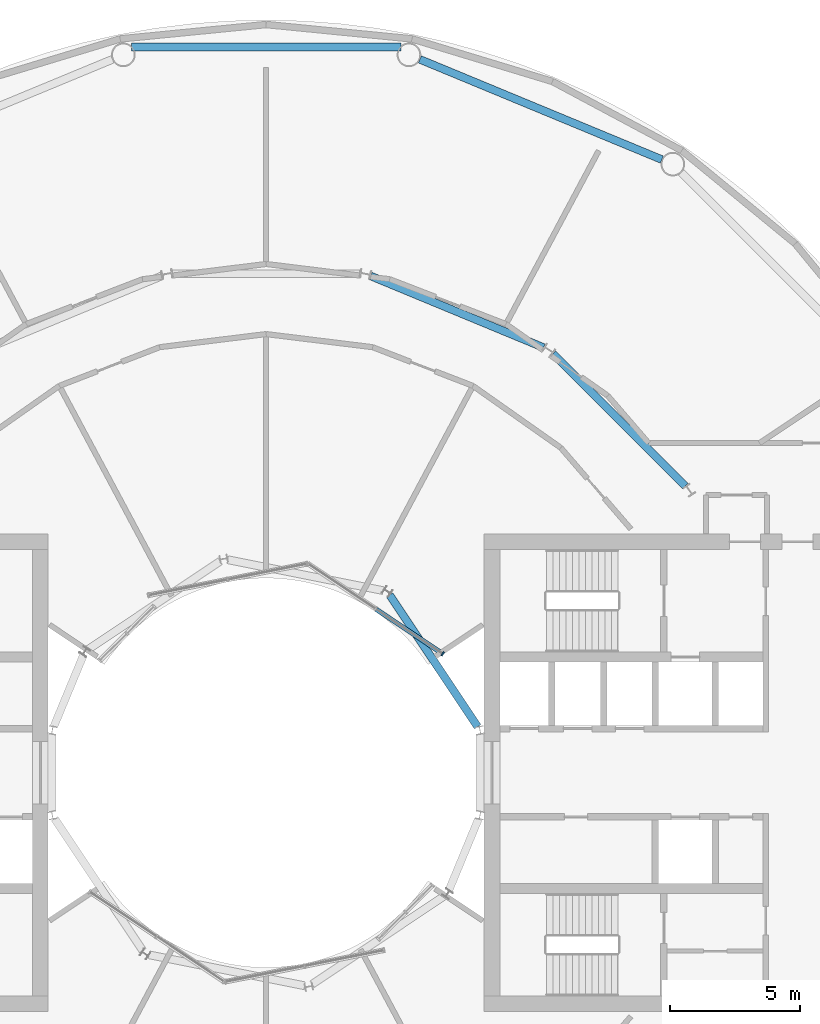
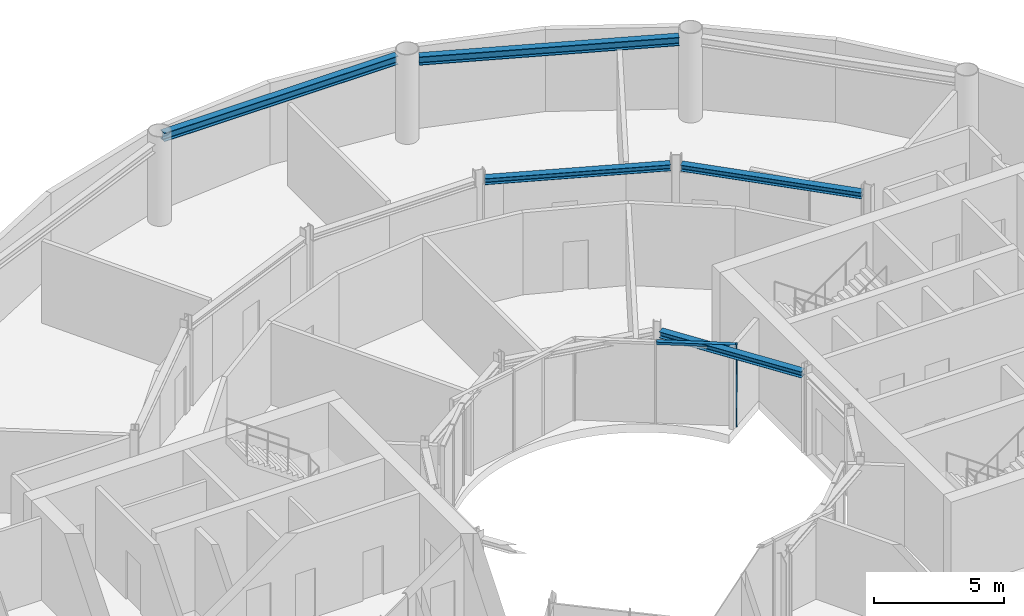
# One storey, part 9 of 18: 5 beams, 2 members, 1 element without a shape of its own.
"""IFC4 building model written with IfcOpenShell, lengths in metres."""

from ifc_helpers import new_model, si_unit, direction, frame, origin, origin_2d, place, context, subcontext, project, spatial, rectangle, i_section, extrude, material, layer, layer_set, material_profile, profile_set, type_object, element, aggregate, save


model = new_model("IFC4")

# Units and contexts
model_context = context("Model", 3, precision=1e-05, world=origin(), true_north=direction((0.0, 1.0)))
body_context = subcontext(model_context, "Body", "Model", "MODEL_VIEW")
ifc_project = project(units=[si_unit("LENGTHUNIT", "METRE"), si_unit("AREAUNIT", "SQUARE_METRE"), si_unit("VOLUMEUNIT", "CUBIC_METRE"), si_unit("PLANEANGLEUNIT", "RADIAN"), si_unit("MASSUNIT", "GRAM", prefix="KILO")], contexts=[model_context])

# Site, building, storey
site_placement = place(None, origin())
site = spatial("IfcSite", under=ifc_project, at=site_placement, CompositionType="ELEMENT")
building_placement = place(site_placement, origin())
building = spatial("IfcBuilding", under=site, at=building_placement, Name="Maasbend Ring Residences", CompositionType="ELEMENT")
storey_placement = place(building_placement, frame((0.0, 0.0, 103.25)))
storey = spatial("IfcBuildingStorey", under=building, at=storey_placement, Name="L29", CompositionType="ELEMENT", Elevation=103.25)

# Curtain wall, members
ifc_material_1 = material(Name="Aluminium and clear glass", Category="aluminium")
ifc_layer = layer(ifc_material_1, 0.179931640625)
ifc_layer_set = layer_set([ifc_layer], Name="CW-W")
curtain_wall_type = type_object("IfcCurtainWallType", Name="CW-W", PredefinedType="NOTDEFINED", material=ifc_layer_set)
curtain_wall_placement = place(storey_placement, origin())
curtain_wall = element("IfcCurtainWall", 1, at=curtain_wall_placement, inside=storey, type_object=curtain_wall_type, Name="Well curtain wall N1", PredefinedType="NOTDEFINED")
ifc_material_2 = material(Name="Aluminium 6063-T6", Category="aluminium")
ifc_material_profile_1 = material_profile(ifc_material_2, rectangle(XDim=0.179931640625, YDim=0.06005859375, at=origin_2d()), Name="AL 180x60")
ifc_profile_set_1 = profile_set([ifc_material_profile_1], Name="Aluminium 6063-T6")
member_type_1 = type_object("IfcMemberType", Name="CWM-W", PredefinedType="MULLION", material=ifc_profile_set_1)
member_1_placement = place(storey_placement, frame((6.805908203125, 4.580810546875, 0.0), z_axis=(0.0, 0.0, 1.0), x_axis=(-0.55557023302, -0.831469612303, 0.0)))
member_1 = element("IfcMember", 2, at=member_1_placement, type_object=member_type_1, Name="Mullion well face", PredefinedType="MULLION", context=body_context, shape_type="SweptSolid", body=[
    extrude(rectangle(XDim=0.179931640625, YDim=0.06005859375, at=origin_2d()), origin(), (0.0, 0.0, 1.0), 3.85009765625),
])
ifc_material_3 = material(Name="Aluminium 6063-T6", Category="aluminium")
ifc_material_profile_2 = material_profile(ifc_material_3, rectangle(XDim=0.179931640625, YDim=0.1201171875, at=origin_2d()), Name="AL 180x120")
ifc_profile_set_2 = profile_set([ifc_material_profile_2], Name="Aluminium 6063-T6")
member_type_2 = type_object("IfcMemberType", Name="CWT-W", PredefinedType="USERDEFINED", material=ifc_profile_set_2)
member_2_placement = place(storey_placement, frame((6.781005859375, 4.59765625, 3.7900390625), z_axis=(-0.831496422459, 0.555530106689, 0.0), x_axis=(-0.555530106689, -0.831496422459, 0.0)))
member_2 = element("IfcMember", 3, at=member_2_placement, type_object=member_type_2, Name="Transom well face", ObjectType="TRANSOM", PredefinedType="USERDEFINED", context=body_context, shape_type="SweptSolid", body=[
    extrude(rectangle(XDim=0.179931640625, YDim=0.1201171875, at=origin_2d()), origin(), (0.0, 0.0, 1.0), 3.053955078125),
])
aggregate(curtain_wall, [member_1, member_2])

# Beams
ifc_material_4 = material(Name="Steel S355J2", Category="steel")
ifc_material_profile_3 = material_profile(ifc_material_4, i_section(OverallWidth=0.300048828125, OverallDepth=0.2900390625, WebThickness=0.008544921875, FlangeThickness=0.013916015625, FilletRadius=0.027099609375, at=origin_2d()), Name="HEA 300")
ifc_profile_set_3 = profile_set([ifc_material_profile_3], Name="Steel S355J2")
beam_type_1 = type_object("IfcBeamType", Name="Corridor ring beam HEA 300", PredefinedType="BEAM", material=ifc_profile_set_3)
for number, where, z_axis, x_axis, name in (
    (4, (16.14111328125, 11.044921875, 3.705078125), (-0.707106781187, 0.707106781187, 0.0), (-0.707106781187, -0.707106781187, 0.0), "Corridor ring beam"),
    (5, (10.685791015625, 16.381103515625, 3.705078125), (-0.923877693919, 0.382687871089, 0.0), (-0.382687871089, -0.923877693919, 0.0), "Corridor ring beam"),
):
    element("IfcBeam", number, at=place(storey_placement, frame(where, z_axis=z_axis, x_axis=x_axis)), inside=storey, type_object=beam_type_1, Name=name, PredefinedType="BEAM", context=body_context, shape_type="SweptSolid", body=[
        extrude(i_section(OverallWidth=0.300048828125, OverallDepth=0.2900390625, WebThickness=0.008544921875, FlangeThickness=0.013916015625, FilletRadius=0.027099609375, at=origin_2d()), origin(), (0.0, 0.0, 1.0), 7.20703125),
    ])
ifc_material_5 = material(Name="Steel S355J2", Category="steel")
ifc_material_profile_4 = material_profile(ifc_material_5, i_section(OverallWidth=0.300048828125, OverallDepth=0.39990234375, WebThickness=0.013427734375, FlangeThickness=0.02392578125, FilletRadius=0.027099609375, at=origin_2d()), Name="HEB 400")
ifc_profile_set_4 = profile_set([ifc_material_profile_4], Name="Steel S355J2")
beam_type_2 = type_object("IfcBeamType", Name="Spandrel ring beam HEB 400", PredefinedType="SPANDREL", material=ifc_profile_set_4)
beam_1_placement = place(storey_placement, frame((15.244873046875, 23.622314453125, 3.64990234375), z_axis=(-0.92388529709, 0.382669515144, 0.0), x_axis=(-0.382669515144, -0.92388529709, 0.0)))
element("IfcBeam", 6, at=beam_1_placement, inside=storey, type_object=beam_type_2, Name="Spandrel ring beam", PredefinedType="SPANDREL", context=body_context, shape_type="SweptSolid", body=[
    extrude(i_section(OverallWidth=0.300048828125, OverallDepth=0.39990234375, WebThickness=0.013427734375, FlangeThickness=0.02392578125, FilletRadius=0.027099609375, at=origin_2d()), origin(), (0.0, 0.0, 1.0), 10.089111328125),
])
beam_2_placement = place(storey_placement, frame((5.194580078125, 27.9580078125, 3.64990234375), z_axis=(-1.0, 0.0, 0.0), x_axis=(0.0, -1.0, 0.0)))
element("IfcBeam", 7, at=beam_2_placement, inside=storey, type_object=beam_type_2, Name="Spandrel ring beam", PredefinedType="SPANDREL", context=body_context, shape_type="SweptSolid", body=[
    extrude(i_section(OverallWidth=0.300048828125, OverallDepth=0.39990234375, WebThickness=0.013427734375, FlangeThickness=0.02392578125, FilletRadius=0.027099609375, at=origin_2d()), origin(), (0.0, 0.0, 1.0), 10.38916015625),
])
ifc_material_6 = material(Name="Steel S355J2", Category="steel")
ifc_material_profile_5 = material_profile(ifc_material_6, i_section(OverallWidth=0.300048828125, OverallDepth=0.2900390625, WebThickness=0.008544921875, FlangeThickness=0.013916015625, FilletRadius=0.027099609375, at=origin_2d()), Name="HEA 300")
ifc_profile_set_5 = profile_set([ifc_material_profile_5], Name="Steel S355J2")
beam_type_3 = type_object("IfcBeamType", Name="Well edge beam HEA 300", PredefinedType="BEAM", material=ifc_profile_set_5)
beam_3_placement = place(storey_placement, frame((8.1484375, 1.773681640625, 3.705078125), z_axis=(-0.555558236289, 0.831477628137, 0.0), x_axis=(-0.831477628137, -0.555558236289, 0.0)))
element("IfcBeam", 8, at=beam_3_placement, inside=storey, type_object=beam_type_3, Name="Well edge beam", PredefinedType="BEAM", context=body_context, shape_type="SweptSolid", body=[
    extrude(i_section(OverallWidth=0.300048828125, OverallDepth=0.2900390625, WebThickness=0.008544921875, FlangeThickness=0.013916015625, FilletRadius=0.027099609375, at=origin_2d()), origin(), (0.0, 0.0, 1.0), 6.1044921875),
])

save(model, "model.ifc")
